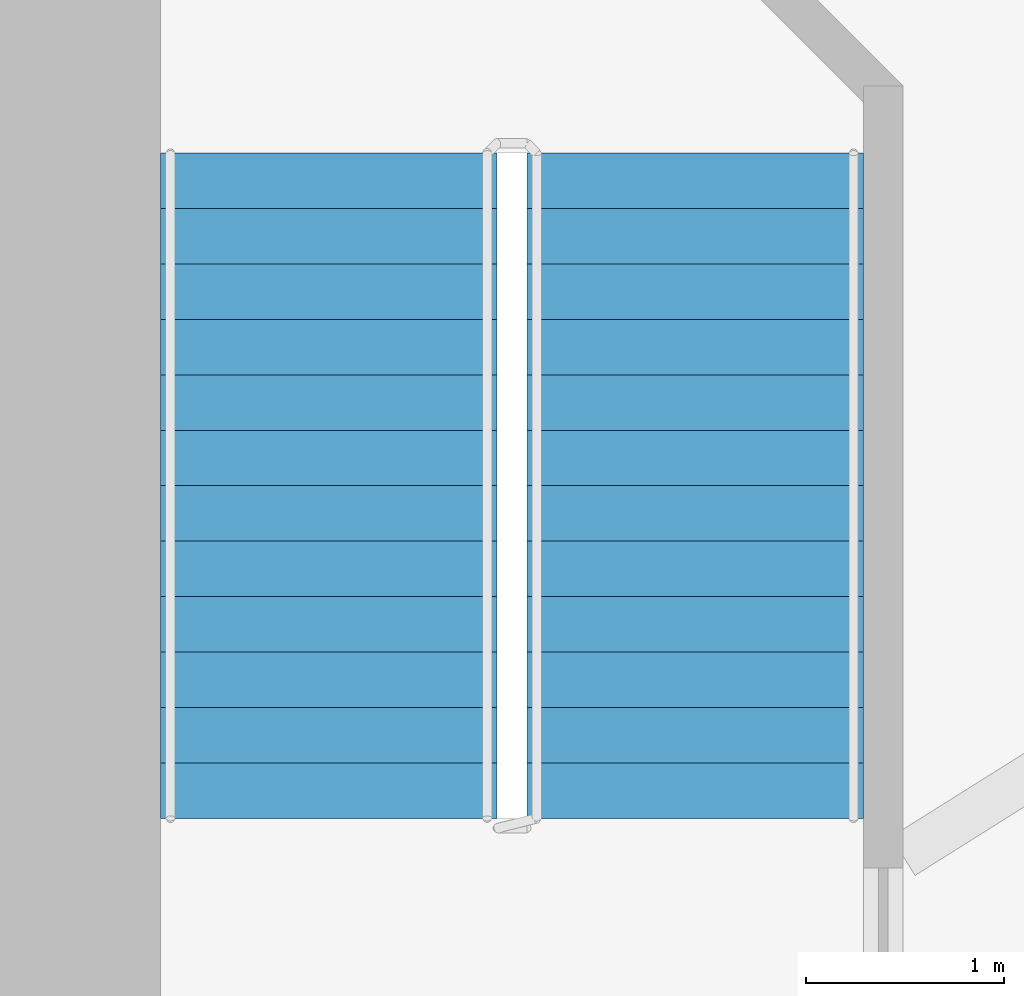
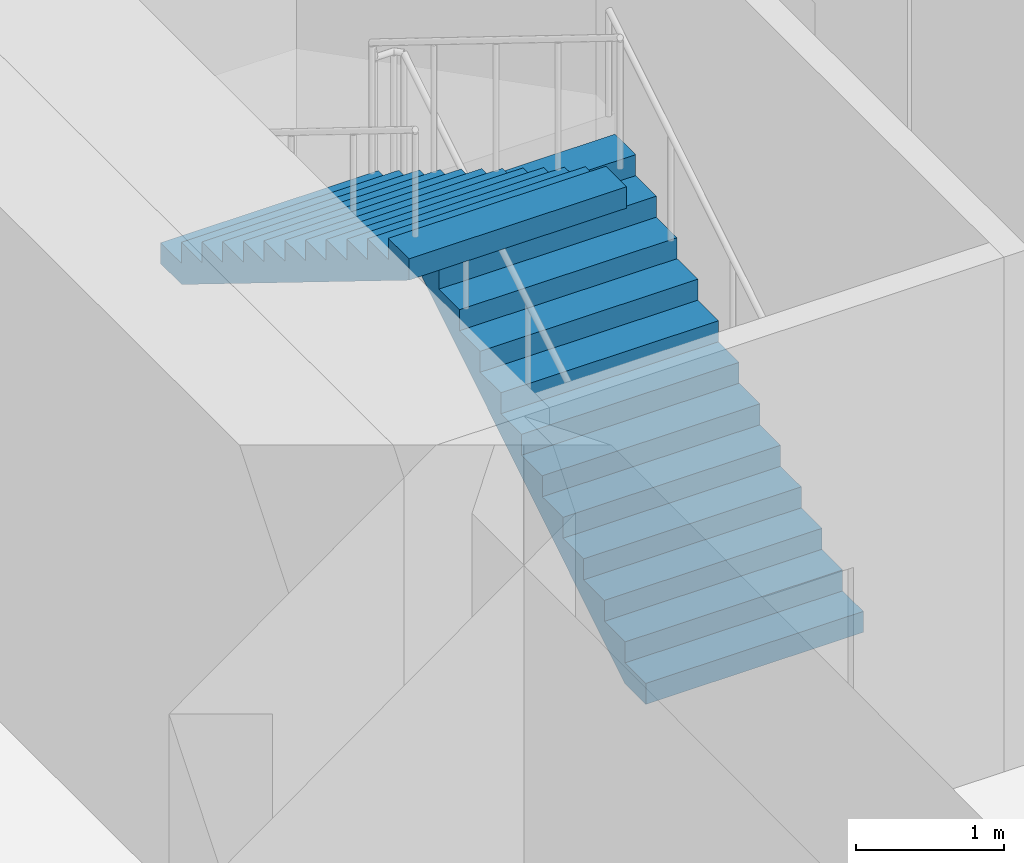
# One storey, part 10 of 11: 2 stair flights, 1 element without a shape of its own.
"""IFC4 building model written with IfcOpenShell, lengths in metres."""

from ifc_helpers import new_model, si_unit, direction, frame, origin, place, context, subcontext, project, spatial, polyline, outline, extrude, material, type_object, element, aggregate, save


model = new_model("IFC4")

# Units and contexts
model_context = context("Model", 3, precision=1e-05, world=origin(), true_north=direction((0.0, 1.0)))
body_context = subcontext(model_context, "Body", "Model", "MODEL_VIEW")
ifc_project = project(units=[si_unit("LENGTHUNIT", "METRE"), si_unit("AREAUNIT", "SQUARE_METRE"), si_unit("VOLUMEUNIT", "CUBIC_METRE"), si_unit("PLANEANGLEUNIT", "RADIAN"), si_unit("MASSUNIT", "GRAM", prefix="KILO")], contexts=[model_context])

# Site, building, storey
site_placement = place(None, origin())
site = spatial("IfcSite", under=ifc_project, at=site_placement, CompositionType="ELEMENT")
building_placement = place(site_placement, origin())
building = spatial("IfcBuilding", under=site, at=building_placement, Name="Noor Cloister Tower", CompositionType="ELEMENT")
storey_placement = place(building_placement, frame((0.0, 0.0, 15.0)))
storey = spatial("IfcBuildingStorey", under=building, at=storey_placement, Name="L03", CompositionType="ELEMENT", Elevation=15.0)

# Stair, stair flights
ifc_material_1 = material(Name="Concrete C40/50", Category="concrete")
stair_type = type_object("IfcStairType", Name="Exit stair 26 risers", PredefinedType="HALF_TURN_STAIR", material=ifc_material_1)
stair_placement = place(storey_placement, origin())
stair = element("IfcStair", 1, at=stair_placement, inside=storey, type_object=stair_type, Name="Exit stair ST1 L03", PredefinedType="HALF_TURN_STAIR")
ifc_material_2 = material(Name="Concrete C40/50", Category="concrete")
stair_flight_type = type_object("IfcStairFlightType", Name="Exit stair flight", PredefinedType="STRAIGHT", material=ifc_material_2)
stair_flight_1_placement = place(storey_placement, frame((4.28564453125, 13.3564453125, 0.0), z_axis=(0.0, 0.0, 1.0), x_axis=(0.0, 1.0, 0.0)))
stair_flight_1 = element("IfcStairFlight", 2, at=stair_flight_1_placement, type_object=stair_flight_type, Name="ST1 flight 1", NumberOfRisers=13, NumberOfTreads=12, PredefinedType="STRAIGHT", RiserHeight=0.173076923, TreadLength=0.28, context=body_context, shape_type="SweptSolid", body=[
    extrude(outline(polyline([(0.0, 0.0), (0.0, 0.173095703125), (0.280029296875, 0.173095703125), (0.280029296875, 0.34619140625), (0.56005859375, 0.34619140625), (0.56005859375, 0.519287109375), (0.840087890625, 0.519287109375), (0.840087890625, 0.6923828125), (1.1201171875, 0.6923828125), (1.1201171875, 0.865478515625), (1.39990234375, 0.865478515625), (1.39990234375, 1.03857421875), (1.679931640625, 1.03857421875), (1.679931640625, 1.21142578125), (1.9599609375, 1.21142578125), (1.9599609375, 1.384521484375), (2.239990234375, 1.384521484375), (2.239990234375, 1.5576171875), (2.52001953125, 1.5576171875), (2.52001953125, 1.730712890625), (2.800048828125, 1.730712890625), (2.800048828125, 1.90380859375), (3.080078125, 1.90380859375), (3.080078125, 2.076904296875), (3.360107421875, 2.076904296875), (3.360107421875, 2.25), (3.360107421875, 1.900634765625), (0.28515625, 0.0), (0.0, 0.0)])), frame((0.0, 0.85009765625, 0.0), z_axis=(0.0, -1.0, 0.0), x_axis=(1.0, 0.0, 0.0)), (0.0, 0.0, 1.0), 1.699951171875),
])
stair_flight_2_placement = place(storey_placement, frame((2.435546875, 16.71630859375, 2.25), z_axis=(0.0, 0.0, 1.0), x_axis=(0.0, -1.0, 0.0)))
stair_flight_2 = element("IfcStairFlight", 3, at=stair_flight_2_placement, type_object=stair_flight_type, Name="ST1 flight 2", NumberOfRisers=13, NumberOfTreads=12, PredefinedType="STRAIGHT", RiserHeight=0.173076923, TreadLength=0.28, context=body_context, shape_type="SweptSolid", body=[
    extrude(outline(polyline([(0.0, 0.0), (0.0, 0.173095703125), (0.280029296875, 0.173095703125), (0.280029296875, 0.34619140625), (0.56005859375, 0.34619140625), (0.56005859375, 0.519287109375), (0.840087890625, 0.519287109375), (0.840087890625, 0.6923828125), (1.1201171875, 0.6923828125), (1.1201171875, 0.865478515625), (1.39990234375, 0.865478515625), (1.39990234375, 1.03857421875), (1.679931640625, 1.03857421875), (1.679931640625, 1.21142578125), (1.9599609375, 1.21142578125), (1.9599609375, 1.384521484375), (2.239990234375, 1.384521484375), (2.239990234375, 1.5576171875), (2.52001953125, 1.5576171875), (2.52001953125, 1.730712890625), (2.800048828125, 1.730712890625), (2.800048828125, 1.90380859375), (3.080078125, 1.90380859375), (3.080078125, 2.076904296875), (3.360107421875, 2.076904296875), (3.360107421875, 2.25), (3.360107421875, 1.900634765625), (0.28515625, 0.0), (0.0, 0.0)])), frame((0.0, 0.85009765625, 0.0), z_axis=(0.0, -1.0, 0.0), x_axis=(1.0, 0.0, 0.0)), (0.0, 0.0, 1.0), 1.699951171875),
])
aggregate(stair, [stair_flight_1, stair_flight_2])

save(model, "model.ifc")
